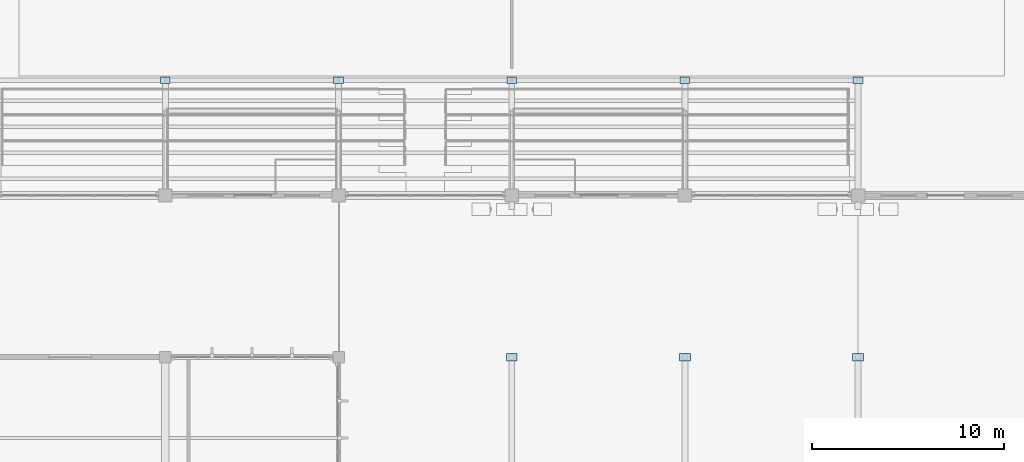
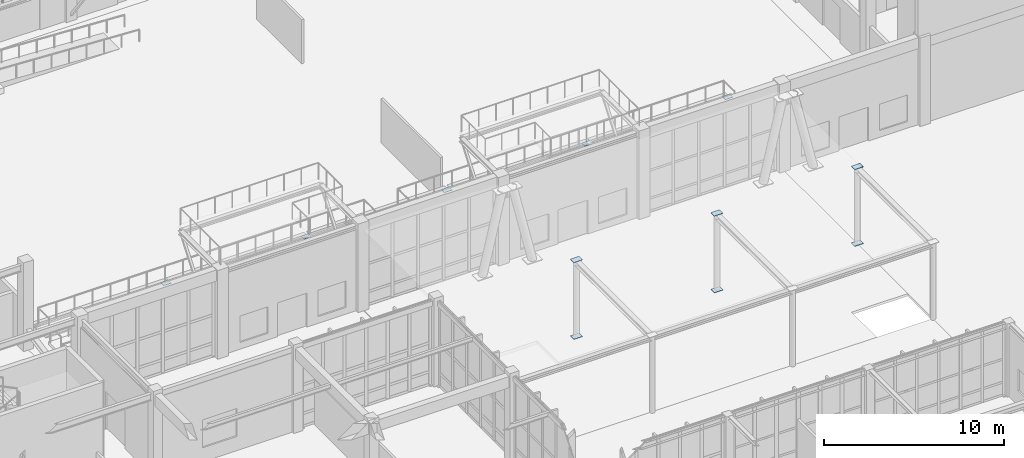
# One storey, part 72 of 110: 11 plates.
"""IFC4 building model written with IfcOpenShell, lengths in metres."""

import ifcopenshell
import ifcopenshell.guid

model = None  # the IFC model being written
_history = None  # IfcOwnerHistory: only IFC2X3 demands one
_inside = {}  # id of a spatial element -> (the spatial element, [elements in it])
_under = {}  # id of a project, library or spatial element -> (it, [spatial elements below it])
_declared = {}  # id of a project -> (the project, [libraries it declares])
_typed = {}  # id of a type object -> (the type object, [elements of that type])
_made_of = {}  # id of a material, layer set ... -> (it, [elements and type objects made of it])


def new_model(schema):
    """Start an empty IFC model of exactly this schema.

    Asked for "IFC4X3", IfcOpenShell would pick the latest addendum, in which some entities
    have other attributes; the version numbers below select the first issue.
    IFC2X3 requires an IfcOwnerHistory on every rooted entity: one is made here for all.
    """
    global model, _history
    if schema == "IFC4X3":
        model = ifcopenshell.file(schema_version=(4, 3, 0, 0))
    else:
        model = ifcopenshell.file(schema=schema)
    _inside.clear()
    _under.clear()
    _declared.clear()
    _typed.clear()
    _made_of.clear()
    _history = None
    if model.schema == "IFC2X3":
        org = make("IfcOrganization", Name="unknown")
        user = make(
            "IfcPersonAndOrganization",
            ThePerson=make("IfcPerson", FamilyName="unknown"),
            TheOrganization=org,
        )
        app = make(
            "IfcApplication",
            ApplicationDeveloper=org,
            Version="unknown",
            ApplicationFullName="unknown",
            ApplicationIdentifier="unknown",
        )
        _history = make(
            "IfcOwnerHistory",
            OwningUser=user,
            OwningApplication=app,
            ChangeAction="ADDED",
            CreationDate=0,
        )
    return model


def make(cls, **values):
    """One entity of the class cls with the attributes given. An attribute that is None is left unset."""
    return model.create_entity(
        cls, **{name: value for name, value in values.items() if value is not None}
    )


def rooted(cls, **values):
    """An entity with a GlobalId (a new one), such as an element, a storey or a relation."""
    return make(cls, GlobalId=ifcopenshell.guid.new(), OwnerHistory=_history, **values)


def si_unit(unit_type, name, prefix=None):
    """IfcSIUnit, for example si_unit("LENGTHUNIT", "METRE", prefix="MILLI")."""
    return make("IfcSIUnit", UnitType=unit_type, Prefix=prefix, Name=name)


def assignment(units):
    """IfcUnitAssignment: the units of a project."""
    return None if units is None else make("IfcUnitAssignment", Units=units)


def point(xyz):
    """IfcCartesianPoint."""
    return None if xyz is None else make("IfcCartesianPoint", Coordinates=xyz)


def direction(xyz):
    """IfcDirection."""
    return None if xyz is None else make("IfcDirection", DirectionRatios=xyz)


def frame(location, z_axis=None, x_axis=None):
    """IfcAxis2Placement3D, a coordinate frame: its origin and axes. An axis left out is left unset."""
    return make(
        "IfcAxis2Placement3D",
        Location=point(location),
        Axis=direction(z_axis),
        RefDirection=direction(x_axis),
    )


def frame_2d(location, x_axis=None):
    """IfcAxis2Placement2D, a coordinate frame in the plane: its origin and x axis."""
    return make(
        "IfcAxis2Placement2D", Location=point(location), RefDirection=direction(x_axis)
    )


def origin():
    """The frame at (0, 0, 0) with its axes left unset."""
    return frame((0.0, 0.0, 0.0))


def origin_2d():
    """The frame at (0, 0) in the plane with its x axis left unset."""
    return frame_2d((0.0, 0.0))


def place(relative_to, where):
    """IfcLocalPlacement: puts the frame where relative to a parent placement (None: the world)."""
    return make(
        "IfcLocalPlacement", PlacementRelTo=relative_to, RelativePlacement=where
    )


def context(
    kind, dimensions, precision=None, world=None, true_north=None, identifier=None
):
    """IfcGeometricRepresentationContext, for example the 3D "Model" context."""
    return make(
        "IfcGeometricRepresentationContext",
        ContextIdentifier=identifier,
        ContextType=kind,
        CoordinateSpaceDimension=dimensions,
        Precision=precision,
        WorldCoordinateSystem=world,
        TrueNorth=true_north,
    )


def subcontext(parent, identifier, kind, view, scale=None):
    """IfcGeometricRepresentationSubContext, for example "Body" below "Model"."""
    return make(
        "IfcGeometricRepresentationSubContext",
        ContextIdentifier=identifier,
        ContextType=kind,
        ParentContext=parent,
        TargetScale=scale,
        TargetView=view,
    )


def project(units=None, contexts=None):
    """IfcProject with its units and contexts."""
    return rooted(
        "IfcProject",
        Name="project",
        RepresentationContexts=contexts,
        UnitsInContext=assignment(units),
    )


def spatial(cls, under=None, at=None, **own):
    """A site, building, storey or space (cls), placed at a placement, below another one or the project."""
    s = rooted(cls, ObjectPlacement=at, **own)
    if under is not None:
        _under.setdefault(under.id(), (under, []))[1].append(s)
    return s


def profile(cls, at=None, kind="AREA", **sizes):
    """A parametric profile (cls). Its sizes go by their IFC names, for example OverallWidth=200.0."""
    return make(cls, ProfileType=kind, Position=at, **sizes)


def rectangle(**sizes):
    """IfcRectangleProfileDef."""
    return profile("IfcRectangleProfileDef", **sizes)


def extrude(swept, where, along, depth):
    """IfcExtrudedAreaSolid: the profile swept, set in the frame where, extruded along a direction by depth."""
    return make(
        "IfcExtrudedAreaSolid",
        SweptArea=swept,
        Position=where,
        ExtrudedDirection=direction(along),
        Depth=depth,
    )


def shape(context_of_items, identifier, shape_type, items):
    """IfcShapeRepresentation: the items that make up one representation, for example the "Body"."""
    return make(
        "IfcShapeRepresentation",
        ContextOfItems=context_of_items,
        RepresentationIdentifier=identifier,
        RepresentationType=shape_type,
        Items=items,
    )


def material(Name=None, Category=None):
    """IfcMaterial."""
    return make("IfcMaterial", Name=Name, Category=Category)


def layer(
    of_material, thickness, ventilated=None, Name=None, Category=None, Priority=None
):
    """IfcMaterialLayer: one layer of a wall or slab, of a material (None: an air gap)."""
    return make(
        "IfcMaterialLayer",
        Material=of_material,
        LayerThickness=thickness,
        IsVentilated=ventilated,
        Name=Name,
        Category=Category,
        Priority=Priority,
    )


def layer_set(layers, Name=None):
    """IfcMaterialLayerSet."""
    return make("IfcMaterialLayerSet", MaterialLayers=layers, LayerSetName=Name)


def made_of(thing, what):
    """Note that an element or type object is made of a material, layer set ...; save() writes the relation."""
    if what is not None:
        _made_of.setdefault(what.id(), (what, []))[1].append(thing)
    return thing


def type_object(cls, material=None, **own):
    """A type object (cls), such as IfcWallType, which elements share."""
    return made_of(rooted(cls, **own), material)


def element(
    cls,
    number,
    at=None,
    inside=None,
    cuts=None,
    type_object=None,
    material=None,
    context=None,
    identifier="Body",
    shape_type=None,
    held_by="IfcProductDefinitionShape",
    body=None,
    shapes=None,
    **own,
):
    """One element of the class cls, such as IfcWall. Its Tag is "e" and its number.

    at: its placement. inside: the storey or other place that contains it. cuts: it is an
    opening in that element (IfcRelVoidsElement). A single representation is given by context,
    identifier, shape_type and body (its items); several are given by shapes. held_by: the class
    of the entity that holds the representations. save() writes the other relations.
    """
    e = rooted(cls, Tag="e%d" % number, ObjectPlacement=at, **own)
    if body is not None:
        shapes = [shape(context, identifier, shape_type, body)]
    if shapes is not None:
        e.Representation = make(held_by, Representations=shapes)
    if inside is not None:
        _inside.setdefault(inside.id(), (inside, []))[1].append(e)
    if cuts is not None:
        rooted(
            "IfcRelVoidsElement", RelatingBuildingElement=cuts, RelatedOpeningElement=e
        )
    if type_object is not None:
        _typed.setdefault(type_object.id(), (type_object, []))[1].append(e)
    return made_of(e, material)


def aggregate(whole, parts):
    """IfcRelAggregates: a whole, such as a stair, and the parts it consists of."""
    return rooted("IfcRelAggregates", RelatingObject=whole, RelatedObjects=parts)


def save(model, path):
    """Write the relations noted so far, then the file.

    IfcRelAggregates (storeys below a building ...), IfcRelContainedInSpatialStructure (elements
    in a storey), IfcRelDefinesByType, IfcRelAssociatesMaterial and IfcRelDeclares: one each for
    every whole, place, type object, material and project.
    """
    for whole, parts in _under.values():
        aggregate(whole, parts)
    for where, things in _inside.values():
        rooted(
            "IfcRelContainedInSpatialStructure",
            RelatedElements=things,
            RelatingStructure=where,
        )
    for kind, things in _typed.values():
        rooted("IfcRelDefinesByType", RelatedObjects=things, RelatingType=kind)
    for what, things in _made_of.values():
        rooted("IfcRelAssociatesMaterial", RelatedObjects=things, RelatingMaterial=what)
    for by, libraries in _declared.values():
        rooted("IfcRelDeclares", RelatingContext=by, RelatedDefinitions=libraries)
    model.write(path)


model = new_model("IFC4")

# Units and contexts
model_context = context("Model", 3, precision=1e-05, world=origin(), true_north=direction((0.0, 1.0)))
body_context = subcontext(model_context, "Body", "Model", "MODEL_VIEW")
ifc_project = project(units=[si_unit("LENGTHUNIT", "METRE"), si_unit("AREAUNIT", "SQUARE_METRE"), si_unit("VOLUMEUNIT", "CUBIC_METRE"), si_unit("PLANEANGLEUNIT", "RADIAN"), si_unit("MASSUNIT", "GRAM", prefix="KILO")], contexts=[model_context])

# Site, building, storey
site_placement = place(None, origin())
site = spatial("IfcSite", under=ifc_project, at=site_placement, CompositionType="ELEMENT")
building_placement = place(site_placement, origin())
building = spatial("IfcBuilding", under=site, at=building_placement, Name="Tizgana Railside Sports Hall", CompositionType="ELEMENT")
storey_placement = place(building_placement, origin())
storey = spatial("IfcBuildingStorey", under=building, at=storey_placement, Name="L00", CompositionType="ELEMENT", Elevation=0.0)

# Plates
ifc_material = material(Name="Steel S355J2", Category="steel")
ifc_layer_1 = layer(ifc_material, 0.028076171875, Name="Steel S355J2")
ifc_layer_set_1 = layer_set([ifc_layer_1], Name="Steel S355J2")
plate_type_1 = type_object("IfcPlateType", Name="Canopy Post Base Plate 560x380x28", PredefinedType="USERDEFINED", material=ifc_layer_set_1)
for number, where, z_axis, x_axis, name in (
    (1, (106.800048828125, 32.39990234375, 5.19580078125), (0.0, 0.0, 1.0), (1.0, 0.0, 0.0), "L00 Canopy Column Cap Plate"),
    (2, (106.800048828125, 32.39990234375, 0.0), (0.0, 0.0, 1.0), (1.0, 0.0, 0.0), "L00 PLT-0025"),
    (3, (115.800048828125, 32.39990234375, 5.19580078125), (0.0, 0.0, 1.0), (1.0, 0.0, 0.0), "L00 Canopy Column Cap Plate"),
    (4, (115.800048828125, 32.39990234375, 0.0), (0.0, 0.0, 1.0), (1.0, 0.0, 0.0), "L00 PLT-0026"),
    (5, (124.800048828125, 32.39990234375, 5.19580078125), (0.0, 0.0, 1.0), (1.0, 0.0, 0.0), "L00 Canopy Column Cap Plate"),
    (6, (124.800048828125, 32.39990234375, 0.0), (0.0, 0.0, 1.0), (1.0, 0.0, 0.0), "L00 PLT-0027"),
):
    element("IfcPlate", number, at=place(storey_placement, frame(where, z_axis=z_axis, x_axis=x_axis)), inside=storey, type_object=plate_type_1, Name=name, ObjectType="BASE_PLATE", PredefinedType="USERDEFINED", context=body_context, shape_type="SweptSolid", body=[
        extrude(rectangle(XDim=0.56005859375, YDim=0.3798828125, at=origin_2d()), origin(), (0.0, 0.0, 1.0), 0.028076171875),
    ])
ifc_layer_2 = layer(ifc_material, 0.02490234375, Name="Steel S355J2")
ifc_layer_set_2 = layer_set([ifc_layer_2], Name="Steel S355J2")
plate_type_2 = type_object("IfcPlateType", Name="Pavilion Post Base Plate 500x340x25", PredefinedType="USERDEFINED", material=ifc_layer_set_2)
for number, where, z_axis, x_axis, name in (
    (7, (88.800048828125, 46.800048828125, 1.185546875), (0.0, 0.0, 1.0), (1.0, 0.0, 0.0), "L00 Stand Strut Cap Plate"),
    (8, (97.800048828125, 46.800048828125, 1.185546875), (0.0, 0.0, 1.0), (1.0, 0.0, 0.0), "L00 Stand Strut Cap Plate"),
    (9, (106.800048828125, 46.800048828125, 1.185546875), (0.0, 0.0, 1.0), (1.0, 0.0, 0.0), "L00 Stand Strut Cap Plate"),
    (10, (115.800048828125, 46.800048828125, 1.185546875), (0.0, 0.0, 1.0), (1.0, 0.0, 0.0), "L00 Stand Strut Cap Plate"),
    (11, (124.800048828125, 46.800048828125, 1.185546875), (0.0, 0.0, 1.0), (1.0, 0.0, 0.0), "L00 Stand Strut Cap Plate"),
):
    element("IfcPlate", number, at=place(storey_placement, frame(where, z_axis=z_axis, x_axis=x_axis)), inside=storey, type_object=plate_type_2, Name=name, ObjectType="BASE_PLATE", PredefinedType="USERDEFINED", context=body_context, shape_type="SweptSolid", body=[
        extrude(rectangle(XDim=0.5, YDim=0.340087890625, at=origin_2d()), origin(), (0.0, 0.0, 1.0), 0.02490234375),
    ])

save(model, "model.ifc")
